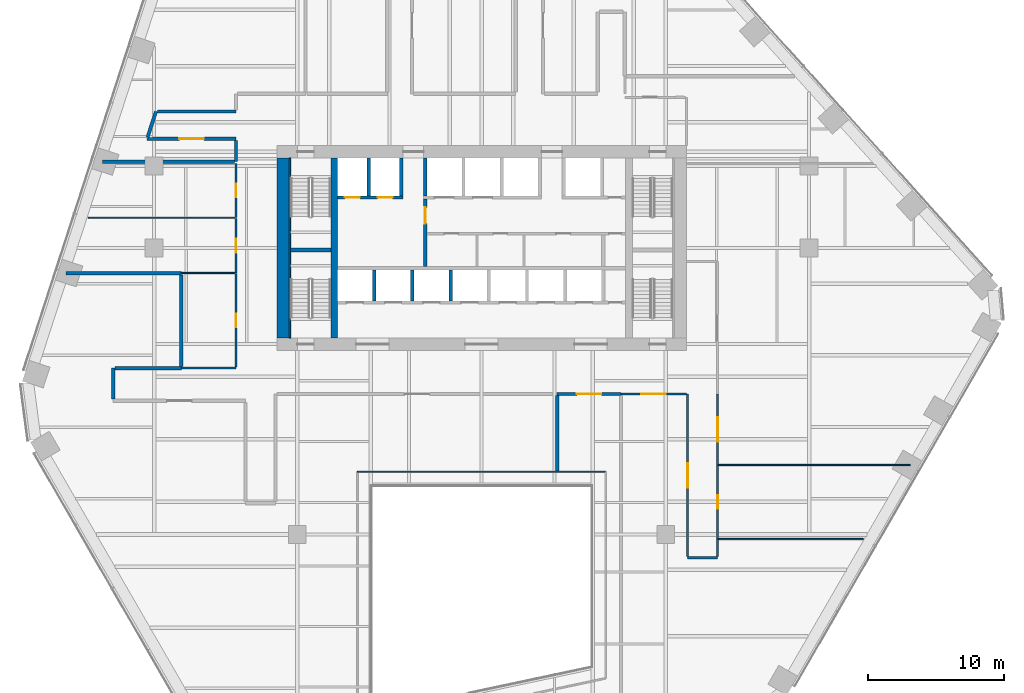
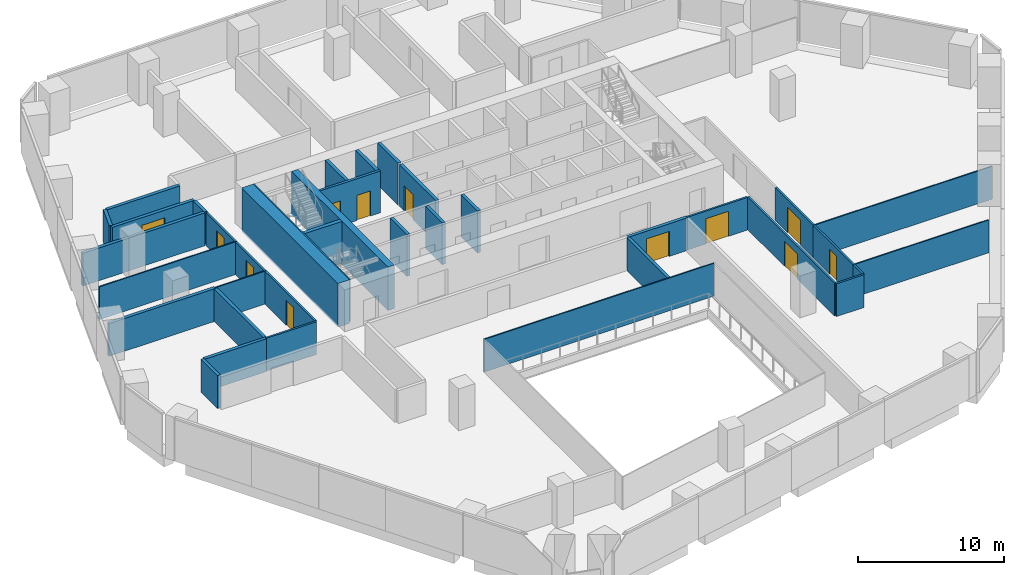
# One storey, part 14 of 21: 38 walls, 12 doors, 12 openings.
"""IFC4 building model written with IfcOpenShell, lengths in metres."""

from ifc_helpers import new_model, si_unit, direction, frame, frame_2d, origin, place, context, subcontext, project, spatial, rectangle, extrude, material, layer, layer_set, type_object, element, fill, save


model = new_model("IFC4")

# Units and contexts
model_context = context("Model", 3, precision=1e-05, world=origin(), true_north=direction((0.0, 1.0)))
body_context = subcontext(model_context, "Body", "Model", "MODEL_VIEW")
ifc_project = project(units=[si_unit("LENGTHUNIT", "METRE"), si_unit("AREAUNIT", "SQUARE_METRE"), si_unit("VOLUMEUNIT", "CUBIC_METRE"), si_unit("PLANEANGLEUNIT", "RADIAN"), si_unit("MASSUNIT", "GRAM", prefix="KILO")], contexts=[model_context])

# Site, building, storey
site_placement = place(None, origin())
site = spatial("IfcSite", under=ifc_project, at=site_placement, CompositionType="ELEMENT")
building_placement = place(site_placement, origin())
building = spatial("IfcBuilding", under=site, at=building_placement, Name="Isthmus Gate Tower", CompositionType="ELEMENT")
storey_placement = place(building_placement, frame((0.0, 0.0, 102.550048828125)))
storey = spatial("IfcBuildingStorey", under=building, at=storey_placement, Name="L24", CompositionType="ELEMENT", Elevation=102.550048828125)

# Wall, opening, door
ifc_material_1 = material(Name="Double-leaf acoustic stud wall, fire-rated", Category="gypsum")
ifc_layer_1 = layer(ifc_material_1, 0.25)
ifc_layer_set_1 = layer_set([ifc_layer_1], Name="ACOUSTIC WALL 250 60 MIN")
wall_type_1 = type_object("IfcWallType", Name="ACOUSTIC WALL 250 60 MIN", PredefinedType="PARTITIONING", material=ifc_layer_set_1)
wall_1_placement = place(storey_placement, frame((10.212890625, -3.199951171875, 0.0), z_axis=(0.0, 0.0, 1.0), x_axis=(-1.0, 0.0, 0.0)))
wall_1 = element("IfcWall", 1, at=wall_1_placement, inside=storey, type_object=wall_type_1, Name="L24 Acoustic Wall 250 60 Min", PredefinedType="PARTITIONING", context=body_context, shape_type="SweptSolid", body=[
    extrude(rectangle(XDim=4.673828125, YDim=0.25, at=frame_2d((2.3369140625, 0.0))), origin(), (0.0, 0.0, 1.0), 2.7412109375),
])
opening_1_placement = place(wall_1_placement, frame((1.43701171875, 0.0, 0.0)))
opening_1 = element("IfcOpeningElement", 2, at=opening_1_placement, cuts=wall_1, Name="Opening DT-T2C-15", PredefinedType="OPENING", context=body_context, shape_type="SweptSolid", body=[
    extrude(rectangle(XDim=1.800048828125, YDim=2.10009765625, at=frame_2d((0.89990234375, 1.050048828125))), frame((0.0, 0.135009765625, 0.0), z_axis=(0.0, -1.0, 0.0), x_axis=(1.0, 0.0, 0.0)), (0.0, 0.0, 1.0), 0.27001953125),
])
ifc_material_2 = material(Name="Solid core timber door leaf, fire-rated", Category="wood")
door_type_1 = type_object("IfcDoorType", Name="FIRE DOOR ACOUSTIC ROOM 1800 X 2100 60 MIN", OperationType="DOUBLE_DOOR_DOUBLE_SWING", PredefinedType="DOOR", material=ifc_material_2)
door_1_placement = place(opening_1_placement, origin())
door_1 = element("IfcDoor", 3, at=door_1_placement, inside=storey, type_object=door_type_1, Name="L24 room door", OperationType="DOUBLE_DOOR_DOUBLE_SWING", OverallHeight=2.10009765625, OverallWidth=1.800048828125, PredefinedType="DOOR", context=body_context, shape_type="SweptSolid", body=[
    extrude(rectangle(XDim=1.800048828125, YDim=2.10009765625, at=frame_2d((0.89990234375, 1.050048828125))), frame((0.0, 0.02490234375, 0.0), z_axis=(0.0, -1.0, 0.0), x_axis=(1.0, 0.0, 0.0)), (0.0, 0.0, 1.0), 0.050048828125),
])
fill(opening_1, door_1)

wall_2_placement = place(storey_placement, frame((-18.0, 15.5, 0.0), z_axis=(0.0, 0.0, 1.0), x_axis=(-1.0, 0.0, 0.0)))
wall_2 = element("IfcWall", 4, at=wall_2_placement, inside=storey, type_object=wall_type_1, Name="L24 Acoustic Wall 250 60 Min", PredefinedType="PARTITIONING", context=body_context, shape_type="SweptSolid", body=[
    extrude(rectangle(XDim=6.510986328125, YDim=0.25, at=frame_2d((3.25537109375, 0.0))), origin(), (0.0, 0.0, 1.0), 2.7412109375),
])
opening_2_placement = place(wall_2_placement, frame((2.35546875, 0.0, 0.0)))
opening_2 = element("IfcOpeningElement", 5, at=opening_2_placement, cuts=wall_2, Name="Opening DT-T2C-01", PredefinedType="OPENING", context=body_context, shape_type="SweptSolid", body=[
    extrude(rectangle(XDim=1.800048828125, YDim=2.10009765625, at=frame_2d((0.89990234375, 1.050048828125))), frame((0.0, 0.135009765625, 0.0), z_axis=(0.0, -1.0, 0.0), x_axis=(1.0, 0.0, 0.0)), (0.0, 0.0, 1.0), 0.27001953125),
])
door_2_placement = place(opening_2_placement, origin())
door_2 = element("IfcDoor", 6, at=door_2_placement, inside=storey, type_object=door_type_1, Name="L24 room door", OperationType="DOUBLE_DOOR_DOUBLE_SWING", OverallHeight=2.10009765625, OverallWidth=1.800048828125, PredefinedType="DOOR", context=body_context, shape_type="SweptSolid", body=[
    extrude(rectangle(XDim=1.800048828125, YDim=2.10009765625, at=frame_2d((0.89990234375, 1.050048828125))), frame((0.0, 0.02490234375, 0.0), z_axis=(0.0, -1.0, 0.0), x_axis=(1.0, 0.0, 0.0)), (0.0, 0.0, 1.0), 0.050048828125),
])
fill(opening_2, door_2)

# Walls
wall_3_placement = place(storey_placement, frame((-24.470458984375, 15.625, 0.0), z_axis=(0.0, 0.0, 1.0), x_axis=(0.309086072338, 0.951034068731, 0.0)))
element("IfcWall", 7, at=wall_3_placement, inside=storey, type_object=wall_type_1, Name="L24 Acoustic Wall 250 60 Min", PredefinedType="PARTITIONING", context=body_context, shape_type="SweptSolid", body=[
    extrude(rectangle(XDim=1.971435546875, YDim=0.25, at=frame_2d((0.98583984375, 0.0))), origin(), (0.0, 0.0, 1.0), 2.7412109375),
])
wall_4_placement = place(storey_placement, frame((-23.736083984375, 17.5, 0.0), z_axis=(0.0, 0.0, 1.0), x_axis=(1.0, 0.0, 0.0)))
element("IfcWall", 8, at=wall_4_placement, inside=storey, type_object=wall_type_1, Name="L24 Acoustic Wall 250 60 Min", PredefinedType="PARTITIONING", context=body_context, shape_type="SweptSolid", body=[
    extrude(rectangle(XDim=5.736083984375, YDim=0.25, at=frame_2d((2.8681640625, 0.0))), origin(), (0.0, 0.0, 1.0), 2.7412109375),
])
wall_5_placement = place(storey_placement, frame((-18.0, 13.830078125, 0.0), z_axis=(0.0, 0.0, 1.0), x_axis=(0.0, 1.0, 0.0)))
element("IfcWall", 9, at=wall_5_placement, inside=storey, type_object=wall_type_1, Name="L24 Acoustic Wall 250 60 Min", PredefinedType="PARTITIONING", context=body_context, shape_type="SweptSolid", body=[
    extrude(rectangle(XDim=1.544921875, YDim=0.25, at=frame_2d((0.7724609375, 0.0))), origin(), (0.0, 0.0, 1.0), 2.7412109375),
])
wall_6_placement = place(storey_placement, frame((-27.787109375, 13.830078125, 0.0), z_axis=(0.0, 0.0, 1.0), x_axis=(1.0, 0.0, 0.0)))
element("IfcWall", 10, at=wall_6_placement, inside=storey, type_object=wall_type_1, Name="L24 Acoustic Wall 250 60 Min", PredefinedType="PARTITIONING", context=body_context, shape_type="SweptSolid", body=[
    extrude(rectangle(XDim=9.662109375, YDim=0.25, at=frame_2d((4.8310546875, 0.0))), origin(), (0.0, 0.0, 1.0), 2.7412109375),
])
wall_7_placement = place(storey_placement, frame((-30.44091796875, 5.660888671875, 0.0), z_axis=(0.0, 0.0, 1.0), x_axis=(1.0, 0.0, 0.0)))
element("IfcWall", 11, at=wall_7_placement, inside=storey, type_object=wall_type_1, Name="L24 Acoustic Wall 250 60 Min", PredefinedType="PARTITIONING", context=body_context, shape_type="SweptSolid", body=[
    extrude(rectangle(XDim=8.44189453125, YDim=0.25, at=frame_2d((4.220947265625, 0.0))), origin(), (0.0, 0.0, 1.0), 2.7412109375),
])
wall_8_placement = place(storey_placement, frame((-27.0, -3.574951171875, 0.0), z_axis=(0.0, 0.0, 1.0), x_axis=(0.0, 1.0, 0.0)))
element("IfcWall", 12, at=wall_8_placement, inside=storey, type_object=wall_type_1, Name="L24 Acoustic Wall 250 60 Min", PredefinedType="PARTITIONING", context=body_context, shape_type="SweptSolid", body=[
    extrude(rectangle(XDim=2.27490234375, YDim=0.25, at=frame_2d((1.137451171875, 0.0))), origin(), (0.0, 0.0, 1.0), 2.7412109375),
])
wall_9_placement = place(storey_placement, frame((-26.875, -1.300048828125, 0.0), z_axis=(0.0, 0.0, 1.0), x_axis=(1.0, 0.0, 0.0)))
element("IfcWall", 13, at=wall_9_placement, inside=storey, type_object=wall_type_1, Name="L24 Acoustic Wall 250 60 Min", PredefinedType="PARTITIONING", context=body_context, shape_type="SweptSolid", body=[
    extrude(rectangle(XDim=4.8759765625, YDim=0.25, at=frame_2d((2.43798828125, 0.0))), origin(), (0.0, 0.0, 1.0), 2.7412109375),
])
wall_10_placement = place(storey_placement, frame((-21.9990234375, -1.175048828125, 0.0), z_axis=(0.0, 0.0, 1.0), x_axis=(0.0, 1.0, 0.0)))
element("IfcWall", 14, at=wall_10_placement, inside=storey, type_object=wall_type_1, Name="L24 Acoustic Wall 250 60 Min", PredefinedType="PARTITIONING", context=body_context, shape_type="SweptSolid", body=[
    extrude(rectangle(XDim=6.7109375, YDim=0.25, at=frame_2d((3.35546875, 0.0))), origin(), (0.0, 0.0, 1.0), 2.7412109375),
])
wall_11_placement = place(storey_placement, frame((5.5390625, -8.85009765625, 0.0), z_axis=(0.0, 0.0, 1.0), x_axis=(0.0, 1.0, 0.0)))
element("IfcWall", 15, at=wall_11_placement, inside=storey, type_object=wall_type_1, Name="L24 Acoustic Wall 250 60 Min", PredefinedType="PARTITIONING", context=body_context, shape_type="SweptSolid", body=[
    extrude(rectangle(XDim=5.525146484375, YDim=0.25, at=frame_2d((2.7626953125, 0.0))), origin(), (0.0, 0.0, 1.0), 2.7412109375),
])
ifc_material_3 = material(Name="Fire-rated laminated glass in steel frame", Category="steel")
ifc_layer_2 = layer(ifc_material_3, 0.10009765625)
ifc_layer_set_2 = layer_set([ifc_layer_2], Name="ATRIUM SCREEN GLAZED WALL 100 120 MIN")
wall_type_2 = type_object("IfcWallType", Name="ATRIUM SCREEN GLAZED WALL 100 120 MIN", PredefinedType="PARTITIONING", material=ifc_layer_set_2)
wall_12_placement = place(storey_placement, frame((-9.10009765625, -8.89990234375, 0.0), z_axis=(0.0, 0.0, 1.0), x_axis=(1.0, 0.0, 0.0)))
element("IfcWall", 16, at=wall_12_placement, inside=storey, type_object=wall_type_2, Name="L24 atrium screen", PredefinedType="PARTITIONING", context=body_context, shape_type="SweptSolid", body=[
    extrude(rectangle(XDim=18.2001953125, YDim=0.10009765625, at=frame_2d((9.10009765625, 0.0))), origin(), (0.0, 0.0, 1.0), 2.7412109375),
])

# Wall, opening, door
ifc_material_4 = material(Name="Gypsum board on steel studs, fire-rated", Category="steel")
ifc_layer_3 = layer(ifc_material_4, 0.14990234375)
ifc_layer_set_3 = layer_set([ifc_layer_3], Name="CORRIDOR WALL 150 60 MIN")
wall_type_3 = type_object("IfcWallType", Name="CORRIDOR WALL 150 60 MIN", PredefinedType="PARTITIONING", material=ifc_layer_set_3)
wall_13_placement = place(storey_placement, frame((15.0, -3.199951171875, 0.0), z_axis=(0.0, 0.0, 1.0), x_axis=(-1.0, 0.0, 0.0)))
wall_13 = element("IfcWall", 17, at=wall_13_placement, inside=storey, type_object=wall_type_3, Name="L24 Corridor Wall 150 60 Min", PredefinedType="PARTITIONING", context=body_context, shape_type="SweptSolid", body=[
    extrude(rectangle(XDim=4.787109375, YDim=0.14990234375, at=frame_2d((2.3935546875, 0.0))), origin(), (0.0, 0.0, 1.0), 2.7412109375),
])
opening_3_placement = place(wall_13_placement, frame((1.493408203125, 0.0, 0.0)))
opening_3 = element("IfcOpeningElement", 18, at=opening_3_placement, cuts=wall_13, Name="Opening DT-T2C-14", PredefinedType="OPENING", context=body_context, shape_type="SweptSolid", body=[
    extrude(rectangle(XDim=1.800048828125, YDim=2.10009765625, at=frame_2d((0.89990234375, 1.050048828125))), frame((0.0, 0.0849609375, 0.0), z_axis=(0.0, -1.0, 0.0), x_axis=(1.0, 0.0, 0.0)), (0.0, 0.0, 1.0), 0.169921875),
])
ifc_material_5 = material(Name="Solid core timber door leaf, fire-rated", Category="wood")
door_type_2 = type_object("IfcDoorType", Name="FIRE DOOR ROOM 1800 X 2100 60 MIN", OperationType="DOUBLE_DOOR_DOUBLE_SWING", PredefinedType="DOOR", material=ifc_material_5)
door_3_placement = place(opening_3_placement, origin())
door_3 = element("IfcDoor", 19, at=door_3_placement, inside=storey, type_object=door_type_2, Name="L24 room door", OperationType="DOUBLE_DOOR_DOUBLE_SWING", OverallHeight=2.10009765625, OverallWidth=1.800048828125, PredefinedType="DOOR", context=body_context, shape_type="SweptSolid", body=[
    extrude(rectangle(XDim=1.800048828125, YDim=2.10009765625, at=frame_2d((0.89990234375, 1.050048828125))), frame((0.0, 0.02490234375, 0.0), z_axis=(0.0, -1.0, 0.0), x_axis=(1.0, 0.0, 0.0)), (0.0, 0.0, 1.0), 0.050048828125),
])
fill(opening_3, door_3)

wall_14_placement = place(storey_placement, frame((17.300048828125, -3.201904296875, 0.0), z_axis=(0.0, 0.0, 1.0), x_axis=(0.0, -1.0, 0.0)))
wall_14 = element("IfcWall", 20, at=wall_14_placement, inside=storey, type_object=wall_type_3, Name="L24 Corridor Wall 150 60 Min", PredefinedType="PARTITIONING", context=body_context, shape_type="SweptSolid", body=[
    extrude(rectangle(XDim=5.197998046875, YDim=0.14990234375, at=frame_2d((2.59912109375, 0.0))), origin(), (0.0, 0.0, 1.0), 2.7412109375),
])
opening_4_placement = place(wall_14_placement, frame((1.698974609375, 0.0, 0.0)))
opening_4 = element("IfcOpeningElement", 21, at=opening_4_placement, cuts=wall_14, Name="Opening DT-T2C-09", PredefinedType="OPENING", context=body_context, shape_type="SweptSolid", body=[
    extrude(rectangle(XDim=1.800048828125, YDim=2.10009765625, at=frame_2d((0.89990234375, 1.050048828125))), frame((0.0, 0.0849609375, 0.0), z_axis=(0.0, -1.0, 0.0), x_axis=(1.0, 0.0, 0.0)), (0.0, 0.0, 1.0), 0.169921875),
])
door_4_placement = place(opening_4_placement, origin())
door_4 = element("IfcDoor", 22, at=door_4_placement, inside=storey, type_object=door_type_2, Name="L24 room door", OperationType="DOUBLE_DOOR_DOUBLE_SWING", OverallHeight=2.10009765625, OverallWidth=1.800048828125, PredefinedType="DOOR", context=body_context, shape_type="SweptSolid", body=[
    extrude(rectangle(XDim=1.800048828125, YDim=2.10009765625, at=frame_2d((0.89990234375, 1.050048828125))), frame((0.0, 0.02490234375, 0.0), z_axis=(0.0, -1.0, 0.0), x_axis=(1.0, 0.0, 0.0)), (0.0, 0.0, 1.0), 0.050048828125),
])
fill(opening_4, door_4)

wall_15_placement = place(storey_placement, frame((17.300048828125, -8.39990234375, 0.0), z_axis=(0.0, 0.0, 1.0), x_axis=(0.0, -1.0, 0.0)))
wall_15 = element("IfcWall", 23, at=wall_15_placement, inside=storey, type_object=wall_type_3, Name="L24 Corridor Wall 150 60 Min", PredefinedType="PARTITIONING", context=body_context, shape_type="SweptSolid", body=[
    extrude(rectangle(XDim=5.439208984375, YDim=0.14990234375, at=frame_2d((2.7197265625, 0.0))), origin(), (0.0, 0.0, 1.0), 2.7412109375),
])
opening_5_placement = place(wall_15_placement, frame((2.219482421875, 0.0, 0.0)))
opening_5 = element("IfcOpeningElement", 24, at=opening_5_placement, cuts=wall_15, Name="Opening DT-T2C-12", PredefinedType="OPENING", context=body_context, shape_type="SweptSolid", body=[
    extrude(rectangle(XDim=1.0, YDim=2.10009765625, at=frame_2d((0.5, 1.050048828125))), frame((0.0, 0.0849609375, 0.0), z_axis=(0.0, -1.0, 0.0), x_axis=(1.0, 0.0, 0.0)), (0.0, 0.0, 1.0), 0.169921875),
])
ifc_material_6 = material(Name="Solid core timber door leaf, fire-rated", Category="wood")
door_type_3 = type_object("IfcDoorType", Name="FIRE DOOR ROOM 1000 X 2100 60 MIN", OperationType="SINGLE_SWING_LEFT", PredefinedType="DOOR", material=ifc_material_6)
door_5_placement = place(opening_5_placement, origin())
door_5 = element("IfcDoor", 25, at=door_5_placement, inside=storey, type_object=door_type_3, Name="L24 room door", OperationType="SINGLE_SWING_RIGHT", OverallHeight=2.10009765625, OverallWidth=1.0, PredefinedType="DOOR", context=body_context, shape_type="SweptSolid", body=[
    extrude(rectangle(XDim=1.0, YDim=2.10009765625, at=frame_2d((0.5, 1.050048828125))), frame((0.0, 0.02490234375, 0.0), z_axis=(0.0, -1.0, 0.0), x_axis=(1.0, 0.0, 0.0)), (0.0, 0.0, 1.0), 0.050048828125),
])
fill(opening_5, door_5)

# Walls
wall_16_placement = place(storey_placement, frame((17.300048828125, -15.199951171875, 0.0), z_axis=(0.0, 0.0, 1.0), x_axis=(-1.0, 0.0, 0.0)))
element("IfcWall", 26, at=wall_16_placement, inside=storey, type_object=wall_type_3, Name="L24 Corridor Wall 150 60 Min", PredefinedType="PARTITIONING", context=body_context, shape_type="SweptSolid", body=[
    extrude(rectangle(XDim=2.199951171875, YDim=0.14990234375, at=frame_2d((1.10009765625, 0.0))), origin(), (0.0, 0.0, 1.0), 2.7412109375),
])
wall_17_placement = place(storey_placement, frame((17.300048828125, -13.839111328125, 0.0), z_axis=(0.0, 0.0, 1.0), x_axis=(0.0, -1.0, 0.0)))
element("IfcWall", 27, at=wall_17_placement, inside=storey, type_object=wall_type_3, Name="L24 Corridor Wall 150 60 Min", PredefinedType="PARTITIONING", context=body_context, shape_type="SweptSolid", body=[
    extrude(rectangle(XDim=1.285888671875, YDim=0.14990234375, at=frame_2d((0.64306640625, 0.0))), origin(), (0.0, 0.0, 1.0), 2.7412109375),
])

# Wall, opening, door
wall_18_placement = place(storey_placement, frame((-18.0, 9.714111328125, 0.0), z_axis=(0.0, 0.0, 1.0), x_axis=(0.0, 1.0, 0.0)))
wall_18 = element("IfcWall", 28, at=wall_18_placement, inside=storey, type_object=wall_type_3, Name="L24 Corridor Wall 150 60 Min", PredefinedType="PARTITIONING", context=body_context, shape_type="SweptSolid", body=[
    extrude(rectangle(XDim=3.990966796875, YDim=0.14990234375, at=frame_2d((1.99560546875, 0.0))), origin(), (0.0, 0.0, 1.0), 2.7412109375),
])
opening_6_placement = place(wall_18_placement, frame((1.49560546875, 0.0, 0.0)))
opening_6 = element("IfcOpeningElement", 29, at=opening_6_placement, cuts=wall_18, Name="Opening DT-T2C-05", PredefinedType="OPENING", context=body_context, shape_type="SweptSolid", body=[
    extrude(rectangle(XDim=1.0, YDim=2.10009765625, at=frame_2d((0.5, 1.050048828125))), frame((0.0, 0.0849609375, 0.0), z_axis=(0.0, -1.0, 0.0), x_axis=(1.0, 0.0, 0.0)), (0.0, 0.0, 1.0), 0.169921875),
])
door_6_placement = place(opening_6_placement, origin())
door_6 = element("IfcDoor", 30, at=door_6_placement, inside=storey, type_object=door_type_3, Name="L24 room door", OperationType="SINGLE_SWING_RIGHT", OverallHeight=2.10009765625, OverallWidth=1.0, PredefinedType="DOOR", context=body_context, shape_type="SweptSolid", body=[
    extrude(rectangle(XDim=1.0, YDim=2.10009765625, at=frame_2d((0.5, 1.050048828125))), frame((0.0, 0.02490234375, 0.0), z_axis=(0.0, -1.0, 0.0), x_axis=(1.0, 0.0, 0.0)), (0.0, 0.0, 1.0), 0.050048828125),
])
fill(opening_6, door_6)

wall_19_placement = place(storey_placement, frame((-18.0, 5.660888671875, 0.0), z_axis=(0.0, 0.0, 1.0), x_axis=(0.0, 1.0, 0.0)))
wall_19 = element("IfcWall", 31, at=wall_19_placement, inside=storey, type_object=wall_type_3, Name="L24 Corridor Wall 150 60 Min", PredefinedType="PARTITIONING", context=body_context, shape_type="SweptSolid", body=[
    extrude(rectangle(XDim=4.003173828125, YDim=0.14990234375, at=frame_2d((2.00146484375, 0.0))), origin(), (0.0, 0.0, 1.0), 2.7412109375),
])
opening_7_placement = place(wall_19_placement, frame((1.50146484375, 0.0, 0.0)))
opening_7 = element("IfcOpeningElement", 32, at=opening_7_placement, cuts=wall_19, Name="Opening DT-T2C-06", PredefinedType="OPENING", context=body_context, shape_type="SweptSolid", body=[
    extrude(rectangle(XDim=1.0, YDim=2.10009765625, at=frame_2d((0.5, 1.050048828125))), frame((0.0, 0.0849609375, 0.0), z_axis=(0.0, -1.0, 0.0), x_axis=(1.0, 0.0, 0.0)), (0.0, 0.0, 1.0), 0.169921875),
])
door_7_placement = place(opening_7_placement, origin())
door_7 = element("IfcDoor", 33, at=door_7_placement, inside=storey, type_object=door_type_3, Name="L24 room door", OperationType="SINGLE_SWING_RIGHT", OverallHeight=2.10009765625, OverallWidth=1.0, PredefinedType="DOOR", context=body_context, shape_type="SweptSolid", body=[
    extrude(rectangle(XDim=1.0, YDim=2.10009765625, at=frame_2d((0.5, 1.050048828125))), frame((0.0, 0.02490234375, 0.0), z_axis=(0.0, -1.0, 0.0), x_axis=(1.0, 0.0, 0.0)), (0.0, 0.0, 1.0), 0.050048828125),
])
fill(opening_7, door_7)

# Wall
wall_20_placement = place(storey_placement, frame((-21.9990234375, -1.300048828125, 0.0), z_axis=(0.0, 0.0, 1.0), x_axis=(1.0, 0.0, 0.0)))
element("IfcWall", 34, at=wall_20_placement, inside=storey, type_object=wall_type_3, Name="L24 Corridor Wall 150 60 Min", PredefinedType="PARTITIONING", context=body_context, shape_type="SweptSolid", body=[
    extrude(rectangle(XDim=3.9990234375, YDim=0.14990234375, at=frame_2d((1.99951171875, 0.0))), origin(), (0.0, 0.0, 1.0), 2.7412109375),
])

# Wall, opening, door
wall_21_placement = place(storey_placement, frame((-18.0, -1.22509765625, 0.0), z_axis=(0.0, 0.0, 1.0), x_axis=(0.0, 1.0, 0.0)))
wall_21 = element("IfcWall", 35, at=wall_21_placement, inside=storey, type_object=wall_type_3, Name="L24 Corridor Wall 150 60 Min", PredefinedType="PARTITIONING", context=body_context, shape_type="SweptSolid", body=[
    extrude(rectangle(XDim=6.836181640625, YDim=0.14990234375, at=frame_2d((3.41796875, 0.0))), origin(), (0.0, 0.0, 1.0), 2.7412109375),
])
opening_8_placement = place(wall_21_placement, frame((2.91796875, 0.0, 0.0)))
opening_8 = element("IfcOpeningElement", 36, at=opening_8_placement, cuts=wall_21, Name="Opening DT-T2C-07", PredefinedType="OPENING", context=body_context, shape_type="SweptSolid", body=[
    extrude(rectangle(XDim=1.0, YDim=2.10009765625, at=frame_2d((0.5, 1.050048828125))), frame((0.0, 0.0849609375, 0.0), z_axis=(0.0, -1.0, 0.0), x_axis=(1.0, 0.0, 0.0)), (0.0, 0.0, 1.0), 0.169921875),
])
door_8_placement = place(opening_8_placement, origin())
door_8 = element("IfcDoor", 37, at=door_8_placement, inside=storey, type_object=door_type_3, Name="L24 room door", OperationType="SINGLE_SWING_RIGHT", OverallHeight=2.10009765625, OverallWidth=1.0, PredefinedType="DOOR", context=body_context, shape_type="SweptSolid", body=[
    extrude(rectangle(XDim=1.0, YDim=2.10009765625, at=frame_2d((0.5, 1.050048828125))), frame((0.0, 0.02490234375, 0.0), z_axis=(0.0, -1.0, 0.0), x_axis=(1.0, 0.0, 0.0)), (0.0, 0.0, 1.0), 0.050048828125),
])
fill(opening_8, door_8)

wall_22_placement = place(storey_placement, frame((15.10009765625, -15.125, 0.0), z_axis=(0.0, 0.0, 1.0), x_axis=(0.0, 1.0, 0.0)))
wall_22 = element("IfcWall", 38, at=wall_22_placement, inside=storey, type_object=wall_type_3, Name="L24 Corridor Wall 150 60 Min", PredefinedType="PARTITIONING", context=body_context, shape_type="SweptSolid", body=[
    extrude(rectangle(XDim=11.925048828125, YDim=0.14990234375, at=frame_2d((5.96240234375, 0.0))), origin(), (0.0, 0.0, 1.0), 2.7412109375),
])
opening_9_placement = place(wall_22_placement, frame((5.0625, 0.0, 0.0)))
opening_9 = element("IfcOpeningElement", 39, at=opening_9_placement, cuts=wall_22, Name="Opening DT-T2C-13", PredefinedType="OPENING", context=body_context, shape_type="SweptSolid", body=[
    extrude(rectangle(XDim=1.800048828125, YDim=2.10009765625, at=frame_2d((0.89990234375, 1.050048828125))), frame((0.0, 0.0849609375, 0.0), z_axis=(0.0, -1.0, 0.0), x_axis=(1.0, 0.0, 0.0)), (0.0, 0.0, 1.0), 0.169921875),
])
door_9_placement = place(opening_9_placement, origin())
door_9 = element("IfcDoor", 40, at=door_9_placement, inside=storey, type_object=door_type_2, Name="L24 room door", OperationType="DOUBLE_DOOR_DOUBLE_SWING", OverallHeight=2.10009765625, OverallWidth=1.800048828125, PredefinedType="DOOR", context=body_context, shape_type="SweptSolid", body=[
    extrude(rectangle(XDim=1.800048828125, YDim=2.10009765625, at=frame_2d((0.89990234375, 1.050048828125))), frame((0.0, 0.02490234375, 0.0), z_axis=(0.0, -1.0, 0.0), x_axis=(1.0, 0.0, 0.0)), (0.0, 0.0, 1.0), 0.050048828125),
])
fill(opening_9, door_9)

ifc_material_7 = material(Name="Fire-rated blockwork masonry, 15 MPa", Category="masonry")
ifc_layer_4 = layer(ifc_material_7, 0.25)
ifc_layer_set_4 = layer_set([ifc_layer_4], Name="FIRE-FIGHTING LOBBY WALL 250 90 MIN")
wall_type_4 = type_object("IfcWallType", Name="FIRE-FIGHTING LOBBY WALL 250 90 MIN", PredefinedType="PARTITIONING", material=ifc_layer_set_4)
wall_23_placement = place(storey_placement, frame((-4.125, 6.14990234375, 0.0), z_axis=(0.0, 0.0, 1.0), x_axis=(0.0, 1.0, 0.0)))
wall_23 = element("IfcWall", 41, at=wall_23_placement, inside=storey, type_object=wall_type_4, Name="L24 FIRE-FIGHTING LOBBY WALL 250 90 MIN", PredefinedType="PARTITIONING", context=body_context, shape_type="SweptSolid", body=[
    extrude(rectangle(XDim=4.9501953125, YDim=0.25, at=frame_2d((2.47509765625, 0.0))), origin(), (0.0, 0.0, 1.0), 3.5),
])
opening_10_placement = place(wall_23_placement, frame((3.125, 0.0, 0.0)))
opening_10 = element("IfcOpeningElement", 42, at=opening_10_placement, cuts=wall_23, Name="Opening DC-A05-01", PredefinedType="OPENING", context=body_context, shape_type="SweptSolid", body=[
    extrude(rectangle(XDim=1.199951171875, YDim=2.10009765625, at=frame_2d((0.60009765625, 1.050048828125))), frame((0.0, 0.135009765625, 0.0), z_axis=(0.0, -1.0, 0.0), x_axis=(1.0, 0.0, 0.0)), (0.0, 0.0, 1.0), 0.27001953125),
])
ifc_material_8 = material(Name="Steel door leaf, fire-rated", Category="steel")
door_type_4 = type_object("IfcDoorType", Name="LOBBY FIRE DOOR 1200 X 2100 90 MIN", OperationType="DOUBLE_DOOR_SINGLE_SWING", PredefinedType="DOOR", material=ifc_material_8)
door_10_placement = place(opening_10_placement, origin())
door_10 = element("IfcDoor", 43, at=door_10_placement, inside=storey, type_object=door_type_4, Name="Fire-fighting Lobby Door", OperationType="SINGLE_SWING_LEFT", OverallHeight=2.10009765625, OverallWidth=1.199951171875, PredefinedType="DOOR", context=body_context, shape_type="SweptSolid", body=[
    extrude(rectangle(XDim=1.199951171875, YDim=2.10009765625, at=frame_2d((0.60009765625, 1.050048828125))), frame((0.0, 0.02490234375, 0.0), z_axis=(0.0, -1.0, 0.0), x_axis=(1.0, 0.0, 0.0)), (0.0, 0.0, 1.0), 0.050048828125),
])
fill(opening_10, door_10)

# Walls
ifc_material_9 = material(Name="Concrete f'c 70 MPa", Category="concrete")
ifc_layer_5 = layer(ifc_material_9, 0.5)
ifc_layer_set_5 = layer_set([ifc_layer_5], Name="RC CORE SPINE WALL 500 F'C 70")
wall_type_5 = type_object("IfcWallType", Name="RC CORE SPINE WALL 500 F'C 70", PredefinedType="SOLIDWALL", material=ifc_layer_set_5)
wall_24_placement = place(storey_placement, frame((-10.800048828125, 0.89990234375, -0.150146484375), z_axis=(0.0, 0.0, 1.0), x_axis=(0.0, 1.0, 0.0)))
element("IfcWall", 44, at=wall_24_placement, inside=storey, type_object=wall_type_5, Name="str-corewall-L24-SPW", PredefinedType="SOLIDWALL", context=body_context, shape_type="SweptSolid", body=[
    extrude(rectangle(XDim=13.2001953125, YDim=0.5, at=frame_2d((6.60009765625, 0.0))), origin(), (0.0, 0.0, 1.0), 3.650146484375),
])
ifc_material_10 = material(Name="Concrete f'c 70 MPa", Category="concrete")
ifc_layer_6 = layer(ifc_material_10, 0.89990234375)
ifc_layer_set_6 = layer_set([ifc_layer_6], Name="RC CORE WALL 900 F'C 70")
wall_type_6 = type_object("IfcWallType", Name="RC CORE WALL 900 F'C 70", PredefinedType="SOLIDWALL", material=ifc_layer_set_6)
wall_25_placement = place(storey_placement, frame((-14.550048828125, 0.89990234375, -0.150146484375), z_axis=(0.0, 0.0, 1.0), x_axis=(0.0, 1.0, 0.0)))
element("IfcWall", 45, at=wall_25_placement, inside=storey, type_object=wall_type_6, Name="str-corewall-L24-W", PredefinedType="SOLIDWALL", context=body_context, shape_type="SweptSolid", body=[
    extrude(rectangle(XDim=13.2001953125, YDim=0.89990234375, at=frame_2d((6.60009765625, 0.0))), origin(), (0.0, 0.0, 1.0), 3.650146484375),
])
ifc_material_11 = material(Name="Gypsum board on steel studs, fire-rated", Category="steel")
ifc_layer_7 = layer(ifc_material_11, 0.10009765625)
ifc_layer_set_7 = layer_set([ifc_layer_7], Name="ROOM PARTITION 100 30 MIN")
wall_type_7 = type_object("IfcWallType", Name="ROOM PARTITION 100 30 MIN", PredefinedType="PARTITIONING", material=ifc_layer_set_7)
wall_26_placement = place(storey_placement, frame((-28.823974609375, 9.714111328125, 0.0), z_axis=(0.0, 0.0, 1.0), x_axis=(1.0, 0.0, 0.0)))
element("IfcWall", 46, at=wall_26_placement, inside=storey, type_object=wall_type_7, Name="L24 Room Partition 100 30 Min", PredefinedType="PARTITIONING", context=body_context, shape_type="SweptSolid", body=[
    extrude(rectangle(XDim=10.7490234375, YDim=0.10009765625, at=frame_2d((5.37451171875, 0.0))), origin(), (0.0, 0.0, 1.0), 2.7412109375),
])
wall_27_placement = place(storey_placement, frame((-21.9990234375, 5.660888671875, 0.0), z_axis=(0.0, 0.0, 1.0), x_axis=(1.0, 0.0, 0.0)))
element("IfcWall", 47, at=wall_27_placement, inside=storey, type_object=wall_type_7, Name="L24 Room Partition 100 30 Min", PredefinedType="PARTITIONING", context=body_context, shape_type="SweptSolid", body=[
    extrude(rectangle(XDim=3.924072265625, YDim=0.10009765625, at=frame_2d((1.9619140625, 0.0))), origin(), (0.0, 0.0, 1.0), 2.7412109375),
])
wall_28_placement = place(storey_placement, frame((17.375, -8.39990234375, 0.0), z_axis=(0.0, 0.0, 1.0), x_axis=(1.0, 0.0, 0.0)))
element("IfcWall", 48, at=wall_28_placement, inside=storey, type_object=wall_type_7, Name="L24 Room Partition 100 30 Min", PredefinedType="PARTITIONING", context=body_context, shape_type="SweptSolid", body=[
    extrude(rectangle(XDim=14.032958984375, YDim=0.10009765625, at=frame_2d((7.0166015625, 0.0))), origin(), (0.0, 0.0, 1.0), 2.7412109375),
])
wall_29_placement = place(storey_placement, frame((17.375, -13.839111328125, 0.0), z_axis=(0.0, 0.0, 1.0), x_axis=(1.0, 0.0, 0.0)))
element("IfcWall", 49, at=wall_29_placement, inside=storey, type_object=wall_type_7, Name="L24 Room Partition 100 30 Min", PredefinedType="PARTITIONING", context=body_context, shape_type="SweptSolid", body=[
    extrude(rectangle(XDim=10.592041015625, YDim=0.10009765625, at=frame_2d((5.2958984375, 0.0))), origin(), (0.0, 0.0, 1.0), 2.7412109375),
])

# Wall, openings, doors
ifc_material_12 = material(Name="Fire-rated blockwork masonry, 15 MPa", Category="masonry")
ifc_layer_8 = layer(ifc_material_12, 0.199951171875)
ifc_layer_set_8 = layer_set([ifc_layer_8], Name="SHAFT FRONT WALL 200 120 MIN")
wall_type_8 = type_object("IfcWallType", Name="SHAFT FRONT WALL 200 120 MIN", PredefinedType="PARTITIONING", material=ifc_layer_set_8)
wall_30_placement = place(storey_placement, frame((-10.550048828125, 11.199951171875, 0.0), z_axis=(0.0, 0.0, 1.0), x_axis=(1.0, 0.0, 0.0)))
wall_30 = element("IfcWall", 50, at=wall_30_placement, inside=storey, type_object=wall_type_8, Name="L24 SHAFT FRONT WALL 200 120 MIN", PredefinedType="PARTITIONING", context=body_context, shape_type="SweptSolid", body=[
    extrude(rectangle(XDim=4.800048828125, YDim=0.199951171875, at=frame_2d((2.39990234375, 0.0))), origin(), (0.0, 0.0, 1.0), 3.5),
])
opening_11_placement = place(wall_30_placement, frame((0.52490234375, 0.0, 0.0)))
opening_11 = element("IfcOpeningElement", 51, at=opening_11_placement, cuts=wall_30, Name="Opening LD-LF1", PredefinedType="OPENING", context=body_context, shape_type="SweptSolid", body=[
    extrude(rectangle(XDim=1.10009765625, YDim=2.10009765625, at=frame_2d((0.550048828125, 1.050048828125))), frame((0.0, 0.10986328125, 0.0), z_axis=(0.0, -1.0, 0.0), x_axis=(1.0, 0.0, 0.0)), (0.0, 0.0, 1.0), 0.219970703125),
])
opening_12_placement = place(wall_30_placement, frame((2.925048828125, 0.0, 0.0)))
opening_12 = element("IfcOpeningElement", 52, at=opening_12_placement, cuts=wall_30, Name="Opening LD-LF2", PredefinedType="OPENING", context=body_context, shape_type="SweptSolid", body=[
    extrude(rectangle(XDim=1.10009765625, YDim=2.10009765625, at=frame_2d((0.550048828125, 1.050048828125))), frame((0.0, 0.10986328125, 0.0), z_axis=(0.0, -1.0, 0.0), x_axis=(1.0, 0.0, 0.0)), (0.0, 0.0, 1.0), 0.219970703125),
])
ifc_material_13 = material(Name="Stainless steel sliding leaf", Category="steel")
door_type_5 = type_object("IfcDoorType", Name="LIFT LANDING FIRE DOOR 1100 X 2100 90 MIN", OperationType="DOUBLE_DOOR_SLIDING", PredefinedType="DOOR", material=ifc_material_13)
door_11_placement = place(opening_11_placement, origin())
door_11 = element("IfcDoor", 53, at=door_11_placement, inside=storey, type_object=door_type_5, Name="Lift Landing Door LF1", OperationType="DOUBLE_DOOR_SLIDING", OverallHeight=2.10009765625, OverallWidth=1.10009765625, PredefinedType="DOOR", context=body_context, shape_type="SweptSolid", body=[
    extrude(rectangle(XDim=1.10009765625, YDim=2.10009765625, at=frame_2d((0.550048828125, 1.050048828125))), frame((0.0, 0.02490234375, 0.0), z_axis=(0.0, -1.0, 0.0), x_axis=(1.0, 0.0, 0.0)), (0.0, 0.0, 1.0), 0.050048828125),
])
fill(opening_11, door_11)
door_12_placement = place(opening_12_placement, origin())
door_12 = element("IfcDoor", 54, at=door_12_placement, inside=storey, type_object=door_type_5, Name="Lift Landing Door LF2", OperationType="DOUBLE_DOOR_SLIDING", OverallHeight=2.10009765625, OverallWidth=1.10009765625, PredefinedType="DOOR", context=body_context, shape_type="SweptSolid", body=[
    extrude(rectangle(XDim=1.10009765625, YDim=2.10009765625, at=frame_2d((0.550048828125, 1.050048828125))), frame((0.0, 0.02490234375, 0.0), z_axis=(0.0, -1.0, 0.0), x_axis=(1.0, 0.0, 0.0)), (0.0, 0.0, 1.0), 0.050048828125),
])
fill(opening_12, door_12)

# Walls
ifc_material_14 = material(Name="Fire-rated blockwork masonry, 15 MPa", Category="masonry")
ifc_layer_9 = layer(ifc_material_14, 0.25)
ifc_layer_set_9 = layer_set([ifc_layer_9], Name="SHAFT WALL 250 120 MIN")
wall_type_9 = type_object("IfcWallType", Name="SHAFT WALL 250 120 MIN", PredefinedType="PARTITIONING", material=ifc_layer_set_9)
for number, where, z_axis, x_axis, name in (
    (55, (-7.875, 3.60009765625, 0.0), (0.0, 0.0, 1.0), (0.0, 1.0, 0.0), "L24 SHAFT WALL 250 120 MIN"),
    (56, (-5.074951171875, 3.60009765625, 0.0), (0.0, 0.0, 1.0), (0.0, 1.0, 0.0), "L24 SHAFT WALL 250 120 MIN"),
    (57, (-2.27490234375, 3.60009765625, 0.0), (0.0, 0.0, 1.0), (0.0, 1.0, 0.0), "L24 SHAFT WALL 250 120 MIN"),
):
    element("IfcWall", number, at=place(storey_placement, frame(where, z_axis=z_axis, x_axis=x_axis)), inside=storey, type_object=wall_type_9, Name=name, PredefinedType="PARTITIONING", context=body_context, shape_type="SweptSolid", body=[
        extrude(rectangle(XDim=2.2998046875, YDim=0.25, at=frame_2d((1.14990234375, 0.0))), origin(), (0.0, 0.0, 1.0), 3.5),
    ])
for number, where, z_axis, x_axis, name in (
    (58, (-8.27490234375, 11.300048828125, 0.0), (0.0, 0.0, 1.0), (0.0, 1.0, 0.0), "L24 SHAFT WALL 250 120 MIN"),
    (59, (-5.875, 11.300048828125, 0.0), (0.0, 0.0, 1.0), (0.0, 1.0, 0.0), "L24 SHAFT WALL 250 120 MIN"),
    (60, (-4.125, 11.300048828125, 0.0), (0.0, 0.0, 1.0), (0.0, 1.0, 0.0), "L24 SHAFT WALL 250 120 MIN"),
):
    element("IfcWall", number, at=place(storey_placement, frame(where, z_axis=z_axis, x_axis=x_axis)), inside=storey, type_object=wall_type_9, Name=name, PredefinedType="PARTITIONING", context=body_context, shape_type="SweptSolid", body=[
        extrude(rectangle(XDim=2.800048828125, YDim=0.25, at=frame_2d((1.39990234375, 0.0))), origin(), (0.0, 0.0, 1.0), 3.5),
    ])
ifc_material_15 = material(Name="Concrete f'c 40 MPa", Category="concrete")
ifc_layer_10 = layer(ifc_material_15, 0.10009765625)
ifc_layer_set_10 = layer_set([ifc_layer_10], Name="STAIR ENCLOSURE WALL 100 180 MIN")
wall_type_10 = type_object("IfcWallType", Name="STAIR ENCLOSURE WALL 100 180 MIN", PredefinedType="SOLIDWALL", material=ifc_layer_set_10)
wall_31_placement = place(storey_placement, frame((-14.050048828125, 0.89990234375, 0.0), z_axis=(0.0, 0.0, 1.0), x_axis=(0.0, 1.0, 0.0)))
element("IfcWall", 61, at=wall_31_placement, inside=storey, type_object=wall_type_10, Name="L24 STAIR ENCLOSURE WALL 100 180 MIN", PredefinedType="SOLIDWALL", context=body_context, shape_type="SweptSolid", body=[
    extrude(rectangle(XDim=13.2001953125, YDim=0.10009765625, at=frame_2d((6.60009765625, 0.0))), origin(), (0.0, 0.0, 1.0), 3.5),
])
ifc_material_16 = material(Name="Concrete f'c 40 MPa", Category="concrete")
ifc_layer_11 = layer(ifc_material_16, 0.300048828125)
ifc_layer_set_11 = layer_set([ifc_layer_11], Name="STAIR ENCLOSURE WALL 300 180 MIN")
wall_type_11 = type_object("IfcWallType", Name="STAIR ENCLOSURE WALL 300 180 MIN", PredefinedType="SOLIDWALL", material=ifc_layer_set_11)
wall_32_placement = place(storey_placement, frame((-14.0, 7.35009765625, 0.0), z_axis=(0.0, 0.0, 1.0), x_axis=(1.0, 0.0, 0.0)))
element("IfcWall", 62, at=wall_32_placement, inside=storey, type_object=wall_type_11, Name="L24 STAIR ENCLOSURE WALL 300 180 MIN", PredefinedType="SOLIDWALL", context=body_context, shape_type="SweptSolid", body=[
    extrude(rectangle(XDim=2.949951171875, YDim=0.300048828125, at=frame_2d((1.47509765625, 0.0))), origin(), (0.0, 0.0, 1.0), 3.5),
])

save(model, "model.ifc")
